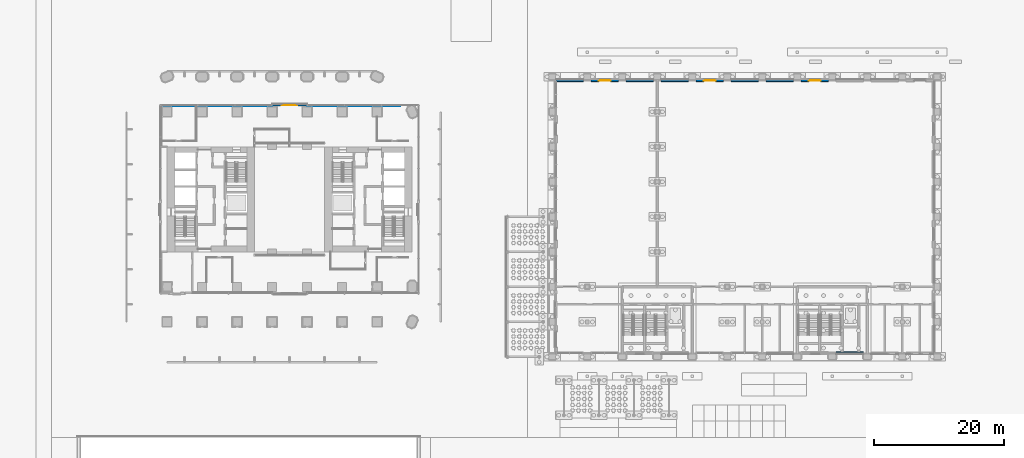
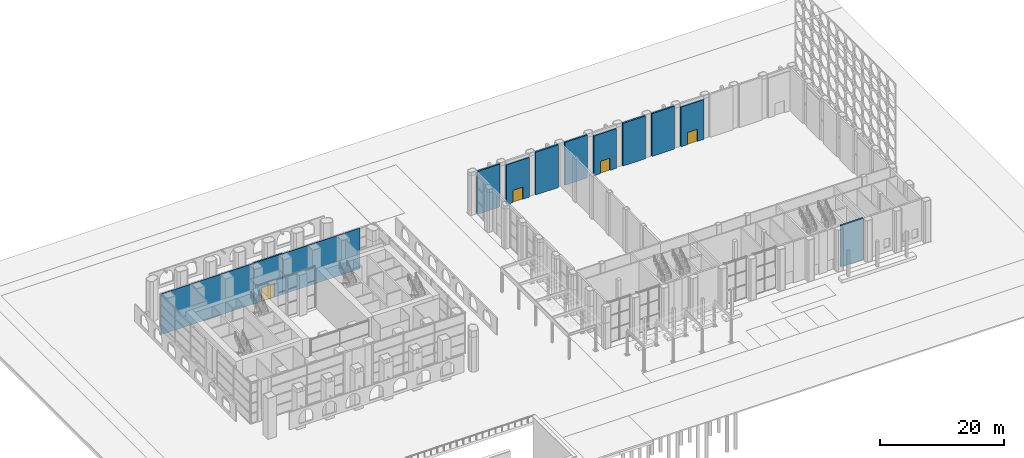
# One storey, part 35 of 54: 12 walls, 4 doors, 4 openings.
"""IFC4 building model written with IfcOpenShell, lengths in metres."""

from ifc_helpers import new_model, si_unit, direction, frame, frame_2d, origin, place, context, subcontext, project, spatial, rectangle, extrude, material, layer, layer_set, type_object, element, fill, save


model = new_model("IFC4")

# Units and contexts
model_context = context("Model", 3, precision=1e-05, world=origin(), true_north=direction((0.0, 1.0)))
body_context = subcontext(model_context, "Body", "Model", "MODEL_VIEW")
ifc_project = project(units=[si_unit("LENGTHUNIT", "METRE"), si_unit("AREAUNIT", "SQUARE_METRE"), si_unit("VOLUMEUNIT", "CUBIC_METRE"), si_unit("PLANEANGLEUNIT", "RADIAN"), si_unit("MASSUNIT", "GRAM", prefix="KILO")], contexts=[model_context])

# Site, building, storey
site_placement = place(None, origin())
site = spatial("IfcSite", under=ifc_project, at=site_placement, CompositionType="ELEMENT")
building_placement = place(site_placement, origin())
building = spatial("IfcBuilding", under=site, at=building_placement, Name="Tabaq Tower and Sports Hall", CompositionType="ELEMENT")
storey_placement = place(building_placement, origin())
storey = spatial("IfcBuildingStorey", under=building, at=storey_placement, Name="L00", CompositionType="ELEMENT", Elevation=0.0)

# Walls
ifc_material_1 = material(Name="Gypsum board on steel studs", Category="steel")
ifc_layer_1 = layer(ifc_material_1, 0.10009765625)
ifc_layer_set_1 = layer_set([ifc_layer_1], Name="Partition 100 Gypsum board")
wall_type_1 = type_object("IfcWallType", Name="Partition 100 Gypsum board", PredefinedType="PARTITIONING", material=ifc_layer_set_1)
wall_1_placement = place(storey_placement, frame((21.60009765625, 38.699951171875, 0.0), z_axis=(0.0, 0.0, 1.0), x_axis=(-1.0, 0.0, 0.0)))
element("IfcWall", 1, at=wall_1_placement, inside=storey, type_object=wall_type_1, Name="Partition wall L00", PredefinedType="PARTITIONING", context=body_context, shape_type="SweptSolid", body=[
    extrude(rectangle(XDim=17.2001953125, YDim=0.10009765625, at=frame_2d((8.60009765625, 0.0))), origin(), (0.0, 0.0, 1.0), 8.0),
])
wall_2_placement = place(storey_placement, frame((41.401611328125, 38.699951171875, 0.0), z_axis=(0.0, 0.0, 1.0), x_axis=(-1.0, 0.0, 0.0)))
element("IfcWall", 2, at=wall_2_placement, inside=storey, type_object=wall_type_1, Name="Partition wall L00", PredefinedType="PARTITIONING", context=body_context, shape_type="SweptSolid", body=[
    extrude(rectangle(XDim=14.401611328125, YDim=0.10009765625, at=frame_2d((7.20068359375, 0.0))), origin(), (0.0, 0.0, 1.0), 8.0),
])
ifc_material_2 = material(Name="White precast concrete C60/75", Category="concrete")
ifc_layer_2 = layer(ifc_material_2, 0.300048828125)
ifc_layer_set_2 = layer_set([ifc_layer_2], Name="White precast concrete C60/75 external wall 300")
wall_type_2 = type_object("IfcWallType", Name="White precast concrete C60/75 external wall 300", PredefinedType="SOLIDWALL", material=ifc_layer_set_2)
wall_3_placement = place(storey_placement, frame((108.60009765625, 0.60009765625, 0.0), z_axis=(0.0, 0.0, 1.0), x_axis=(1.0, 0.0, 0.0)))
element("IfcWall", 3, at=wall_3_placement, inside=storey, type_object=wall_type_2, Name="L00 S facade panel", PredefinedType="SOLIDWALL", context=body_context, shape_type="SweptSolid", body=[
    extrude(rectangle(XDim=4.199951171875, YDim=0.300048828125, at=frame_2d((2.10009765625, 0.0))), origin(), (0.0, 0.0, 1.0), 8.10009765625),
])
wall_4_placement = place(storey_placement, frame((65.39990234375, 42.60009765625, 0.0), z_axis=(0.0, 0.0, 1.0), x_axis=(1.0, 0.0, 0.0)))
element("IfcWall", 4, at=wall_4_placement, inside=storey, type_object=wall_type_2, Name="L00 N facade panel", PredefinedType="SOLIDWALL", context=body_context, shape_type="SweptSolid", body=[
    extrude(rectangle(XDim=4.2001953125, YDim=0.300048828125, at=frame_2d((2.10009765625, 0.0))), origin(), (0.0, 0.0, 1.0), 8.39990234375),
])

# Wall, opening, door
wall_5_placement = place(storey_placement, frame((70.800048828125, 42.60009765625, 0.0), z_axis=(0.0, 0.0, 1.0), x_axis=(1.0, 0.0, 0.0)))
wall_5 = element("IfcWall", 5, at=wall_5_placement, inside=storey, type_object=wall_type_2, Name="L00 N facade panel", PredefinedType="SOLIDWALL", context=body_context, shape_type="SweptSolid", body=[
    extrude(rectangle(XDim=4.199951171875, YDim=0.300048828125, at=frame_2d((2.10009765625, 0.0))), origin(), (0.0, 0.0, 1.0), 7.800048828125),
])
opening_1_placement = place(wall_5_placement, frame((1.199951171875, 0.0, 0.0)))
opening_1 = element("IfcOpeningElement", 6, at=opening_1_placement, cuts=wall_5, Name="Opening HD006", PredefinedType="OPENING", context=body_context, shape_type="SweptSolid", body=[
    extrude(rectangle(XDim=1.800048828125, YDim=2.39990234375, at=frame_2d((0.89990234375, 1.199951171875))), frame((0.0, 0.14990234375, 0.0), z_axis=(0.0, -1.0, 0.0), x_axis=(1.0, 0.0, 0.0)), (0.0, 0.0, 1.0), 0.300048828125),
])
ifc_material_3 = material(Name="Steel exit door leaves in steel frame", Category="steel")
door_type_1 = type_object("IfcDoorType", Name="HALL EXIT DOOR DOUBLE 1800x2400", OperationType="DOUBLE_DOOR_SINGLE_SWING", PredefinedType="DOOR", material=ifc_material_3)
door_1_placement = place(opening_1_placement, origin())
door_1 = element("IfcDoor", 7, at=door_1_placement, inside=storey, type_object=door_type_1, Name="Door HD006", OperationType="DOUBLE_DOOR_SINGLE_SWING", OverallHeight=2.39990234375, OverallWidth=1.800048828125, PredefinedType="DOOR", context=body_context, shape_type="SweptSolid", body=[
    extrude(rectangle(XDim=1.800048828125, YDim=2.39990234375, at=frame_2d((0.89990234375, 1.199951171875))), frame((0.0, 0.02490234375, 0.0), z_axis=(0.0, -1.0, 0.0), x_axis=(1.0, 0.0, 0.0)), (0.0, 0.0, 1.0), 0.050048828125),
])
fill(opening_1, door_1)

# Walls
for number, where, z_axis, x_axis, name in (
    (8, (76.199951171875, 42.60009765625, 0.0), (0.0, 0.0, 1.0), (1.0, 0.0, 0.0), "L00 N facade panel"),
    (9, (81.60009765625, 42.60009765625, 0.0), (0.0, 0.0, 1.0), (1.0, 0.0, 0.0), "L00 N facade panel"),
):
    element("IfcWall", number, at=place(storey_placement, frame(where, z_axis=z_axis, x_axis=x_axis)), inside=storey, type_object=wall_type_2, Name=name, PredefinedType="SOLIDWALL", context=body_context, shape_type="SweptSolid", body=[
        extrude(rectangle(XDim=4.199951171875, YDim=0.300048828125, at=frame_2d((2.10009765625, 0.0))), origin(), (0.0, 0.0, 1.0), 8.39990234375),
    ])

# Wall, opening, door
wall_6_placement = place(storey_placement, frame((87.0, 42.60009765625, 0.0), z_axis=(0.0, 0.0, 1.0), x_axis=(1.0, 0.0, 0.0)))
wall_6 = element("IfcWall", 10, at=wall_6_placement, inside=storey, type_object=wall_type_2, Name="L00 N facade panel", PredefinedType="SOLIDWALL", context=body_context, shape_type="SweptSolid", body=[
    extrude(rectangle(XDim=4.199951171875, YDim=0.300048828125, at=frame_2d((2.10009765625, 0.0))), origin(), (0.0, 0.0, 1.0), 7.800048828125),
])
opening_2_placement = place(wall_6_placement, frame((1.199951171875, 0.0, 0.0)))
opening_2 = element("IfcOpeningElement", 11, at=opening_2_placement, cuts=wall_6, Name="Opening HD007", PredefinedType="OPENING", context=body_context, shape_type="SweptSolid", body=[
    extrude(rectangle(XDim=1.800048828125, YDim=2.39990234375, at=frame_2d((0.89990234375, 1.199951171875))), frame((0.0, 0.14990234375, 0.0), z_axis=(0.0, -1.0, 0.0), x_axis=(1.0, 0.0, 0.0)), (0.0, 0.0, 1.0), 0.300048828125),
])
door_2_placement = place(opening_2_placement, origin())
door_2 = element("IfcDoor", 12, at=door_2_placement, inside=storey, type_object=door_type_1, Name="Door HD007", OperationType="DOUBLE_DOOR_SINGLE_SWING", OverallHeight=2.39990234375, OverallWidth=1.800048828125, PredefinedType="DOOR", context=body_context, shape_type="SweptSolid", body=[
    extrude(rectangle(XDim=1.800048828125, YDim=2.39990234375, at=frame_2d((0.89990234375, 1.199951171875))), frame((0.0, 0.02490234375, 0.0), z_axis=(0.0, -1.0, 0.0), x_axis=(1.0, 0.0, 0.0)), (0.0, 0.0, 1.0), 0.050048828125),
])
fill(opening_2, door_2)

# Walls
wall_7_placement = place(storey_placement, frame((92.39990234375, 42.60009765625, 0.0), z_axis=(0.0, 0.0, 1.0), x_axis=(1.0, 0.0, 0.0)))
element("IfcWall", 13, at=wall_7_placement, inside=storey, type_object=wall_type_2, Name="L00 N facade panel", PredefinedType="SOLIDWALL", context=body_context, shape_type="SweptSolid", body=[
    extrude(rectangle(XDim=4.2001953125, YDim=0.300048828125, at=frame_2d((2.10009765625, 0.0))), origin(), (0.0, 0.0, 1.0), 8.39990234375),
])
wall_8_placement = place(storey_placement, frame((97.800048828125, 42.60009765625, 0.0), z_axis=(0.0, 0.0, 1.0), x_axis=(1.0, 0.0, 0.0)))
element("IfcWall", 14, at=wall_8_placement, inside=storey, type_object=wall_type_2, Name="L00 N facade panel", PredefinedType="SOLIDWALL", context=body_context, shape_type="SweptSolid", body=[
    extrude(rectangle(XDim=4.199951171875, YDim=0.300048828125, at=frame_2d((2.10009765625, 0.0))), origin(), (0.0, 0.0, 1.0), 8.39990234375),
])

# Wall, opening, door
wall_9_placement = place(storey_placement, frame((103.199951171875, 42.60009765625, 0.0), z_axis=(0.0, 0.0, 1.0), x_axis=(1.0, 0.0, 0.0)))
wall_9 = element("IfcWall", 15, at=wall_9_placement, inside=storey, type_object=wall_type_2, Name="L00 N facade panel", PredefinedType="SOLIDWALL", context=body_context, shape_type="SweptSolid", body=[
    extrude(rectangle(XDim=4.199951171875, YDim=0.300048828125, at=frame_2d((2.10009765625, 0.0))), origin(), (0.0, 0.0, 1.0), 7.800048828125),
])
opening_3_placement = place(wall_9_placement, frame((1.199951171875, 0.0, 0.0)))
opening_3 = element("IfcOpeningElement", 16, at=opening_3_placement, cuts=wall_9, Name="Opening HD008", PredefinedType="OPENING", context=body_context, shape_type="SweptSolid", body=[
    extrude(rectangle(XDim=1.800048828125, YDim=2.39990234375, at=frame_2d((0.89990234375, 1.199951171875))), frame((0.0, 0.14990234375, 0.0), z_axis=(0.0, -1.0, 0.0), x_axis=(1.0, 0.0, 0.0)), (0.0, 0.0, 1.0), 0.300048828125),
])
door_3_placement = place(opening_3_placement, origin())
door_3 = element("IfcDoor", 17, at=door_3_placement, inside=storey, type_object=door_type_1, Name="Door HD008", OperationType="DOUBLE_DOOR_SINGLE_SWING", OverallHeight=2.39990234375, OverallWidth=1.800048828125, PredefinedType="DOOR", context=body_context, shape_type="SweptSolid", body=[
    extrude(rectangle(XDim=1.800048828125, YDim=2.39990234375, at=frame_2d((0.89990234375, 1.199951171875))), frame((0.0, 0.02490234375, 0.0), z_axis=(0.0, -1.0, 0.0), x_axis=(1.0, 0.0, 0.0)), (0.0, 0.0, 1.0), 0.050048828125),
])
fill(opening_3, door_3)

wall_10_placement = place(storey_placement, frame((21.60009765625, 38.800048828125, 0.0), z_axis=(0.0, 0.0, 1.0), x_axis=(1.0, 0.0, 0.0)))
wall_10 = element("IfcWall", 18, at=wall_10_placement, inside=storey, type_object=wall_type_2, Name="Entrance wall N", PredefinedType="SOLIDWALL", context=body_context, shape_type="SweptSolid", body=[
    extrude(rectangle(XDim=5.39990234375, YDim=0.300048828125, at=frame_2d((2.699951171875, 0.0))), origin(), (0.0, 0.0, 1.0), 8.0),
])
opening_4_placement = place(wall_10_placement, frame((1.5, 0.0, 0.0)))
opening_4 = element("IfcOpeningElement", 19, at=opening_4_placement, cuts=wall_10, Name="Opening ED03", PredefinedType="OPENING", context=body_context, shape_type="SweptSolid", body=[
    extrude(rectangle(XDim=2.39990234375, YDim=2.699951171875, at=frame_2d((1.199951171875, 1.35009765625))), frame((0.0, 0.16015625, 0.0), z_axis=(0.0, -1.0, 0.0), x_axis=(1.0, 0.0, 0.0)), (0.0, 0.0, 1.0), 0.320068359375),
])
ifc_material_4 = material(Name="Aluminium framed clear glazing", Category="aluminium")
door_type_2 = type_object("IfcDoorType", Name="Entrance door ED1", OperationType="DOUBLE_DOOR_DOUBLE_SWING", PredefinedType="DOOR", material=ifc_material_4)
door_4_placement = place(opening_4_placement, origin())
door_4 = element("IfcDoor", 20, at=door_4_placement, inside=storey, type_object=door_type_2, Name="Entrance door ED03", OperationType="DOUBLE_DOOR_DOUBLE_SWING", OverallHeight=2.699951171875, OverallWidth=2.39990234375, PredefinedType="DOOR", context=body_context, shape_type="SweptSolid", body=[
    extrude(rectangle(XDim=2.39990234375, YDim=2.699951171875, at=frame_2d((1.199951171875, 1.35009765625))), frame((0.0, 0.02490234375, 0.0), z_axis=(0.0, -1.0, 0.0), x_axis=(1.0, 0.0, 0.0)), (0.0, 0.0, 1.0), 0.050048828125),
])
fill(opening_4, door_4)

save(model, "model.ifc")
